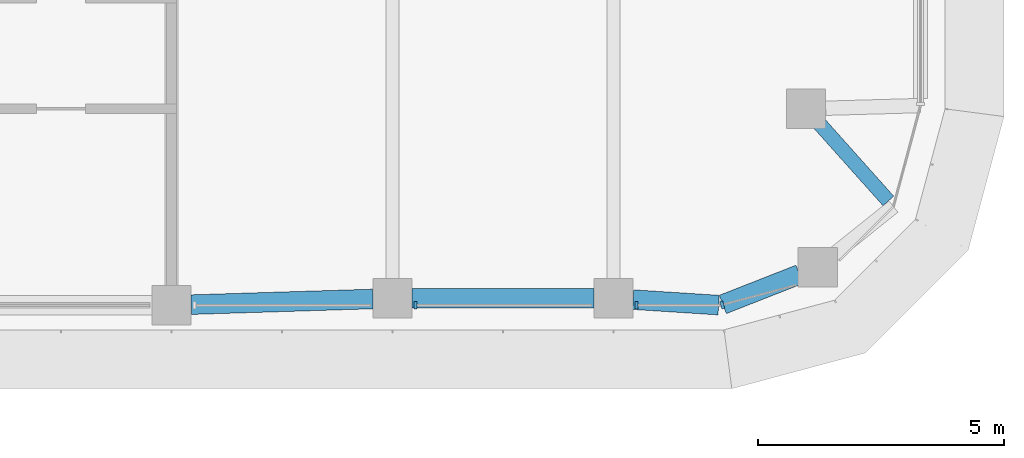
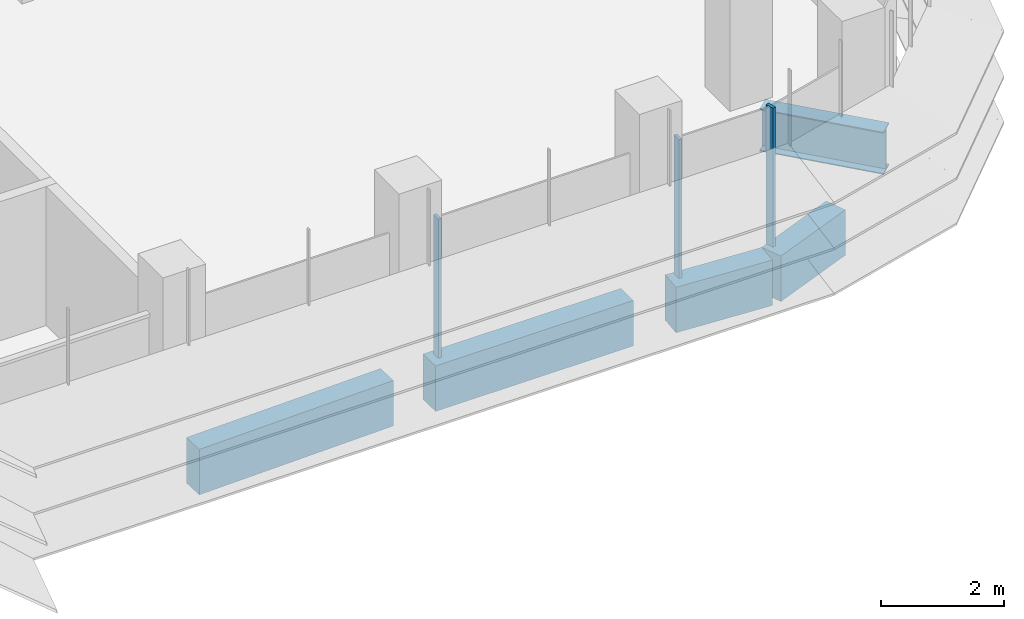
# One storey, part 5 of 19: 5 beams, 3 members, 2 elements without a shape of their own.
"""IFC4 building model written with IfcOpenShell, lengths in metres."""

from ifc_helpers import new_model, si_unit, direction, frame, origin, origin_2d, place, context, subcontext, project, spatial, polyline, rectangle, i_section, outline, extrude, source, transform, mapped, material, material_profile, profile_set, type_object, element, aggregate, save


model = new_model("IFC4")

# Units and contexts
model_context = context("Model", 3, precision=1e-05, world=origin(), true_north=direction((0.0, 1.0)))
body_context = subcontext(model_context, "Body", "Model", "MODEL_VIEW")
ifc_project = project(units=[si_unit("LENGTHUNIT", "METRE"), si_unit("AREAUNIT", "SQUARE_METRE"), si_unit("VOLUMEUNIT", "CUBIC_METRE"), si_unit("PLANEANGLEUNIT", "RADIAN"), si_unit("MASSUNIT", "GRAM", prefix="KILO")], contexts=[model_context])

# Site, building, storey
site_placement = place(None, origin())
site = spatial("IfcSite", under=ifc_project, at=site_placement, CompositionType="ELEMENT")
building_placement = place(site_placement, origin())
building = spatial("IfcBuilding", under=site, at=building_placement, Name="Zarbagh Exchange Tower", CompositionType="ELEMENT")
storey_placement = place(building_placement, frame((0.0, 0.0, 167.60009765625)))
storey = spatial("IfcBuildingStorey", under=building, at=storey_placement, Name="L40", CompositionType="ELEMENT", Elevation=167.60009765625)

# Beams
ifc_material_1 = material(Name="Steel ASTM A992 Gr 50", Category="steel")
ifc_material_profile_1 = material_profile(ifc_material_1, i_section(OverallWidth=0.2919921875, OverallDepth=0.835693359375, WebThickness=0.013916015625, FlangeThickness=0.018798828125, at=origin_2d()), Name="W33X118")
ifc_profile_set_1 = profile_set([ifc_material_profile_1], Name="Steel ASTM A992 Gr 50")
beam_type_1 = type_object("IfcBeamType", Name="Floor girder W33X118", PredefinedType="BEAM", material=ifc_profile_set_1)
beam_1_placement = place(storey_placement, frame((28.9365234375, -2.54833984375, -0.56787109375), z_axis=(0.666238158503, -0.745739040251, 0.0), x_axis=(0.745739040251, 0.666238158503, 0.0)))
element("IfcBeam", 1, at=beam_1_placement, inside=storey, type_object=beam_type_1, Name="Steel girder", PredefinedType="BEAM", context=body_context, shape_type="SweptSolid", body=[
    extrude(i_section(OverallWidth=0.2919921875, OverallDepth=0.835693359375, WebThickness=0.013916015625, FlangeThickness=0.018798828125, at=origin_2d()), origin(), (0.0, 0.0, 1.0), 2.115966796875),
])
ifc_material_2 = material(Name="Concrete C50/60", Category="concrete")
ifc_material_profile_2 = material_profile(ifc_material_2, rectangle(XDim=0.39990234375, YDim=0.89990234375, at=origin_2d()), Name="RC spandrel beam 400 x 900 C50/60")
ifc_profile_set_2 = profile_set([ifc_material_profile_2], Name="Concrete C50/60")
beam_type_2 = type_object("IfcBeamType", Name="RC spandrel beam 400 x 900 C50/60", PredefinedType="SPANDREL", material=ifc_profile_set_2)
beam_2_placement = place(storey_placement, frame((28.53564453125, -5.62109375, -0.60009765625), z_axis=(-0.930818758612, -0.36548110569, 0.0), x_axis=(0.36548110569, -0.930818758612, 0.0)))
element("IfcBeam", 2, at=beam_2_placement, inside=storey, type_object=beam_type_2, Name="RC spandrel beam", PredefinedType="SPANDREL", context=body_context, shape_type="SweptSolid", body=[
    extrude(rectangle(XDim=0.39990234375, YDim=0.89990234375, at=origin_2d()), origin(), (0.0, 0.0, 1.0), 1.676025390625),
])
beam_3_placement = place(storey_placement, frame((26.8896484375, -6.247314453125, -0.60009765625), z_axis=(-0.997942679773, 0.064112462805, 0.0), x_axis=(-0.064112462805, -0.997942679773, 0.0)))
element("IfcBeam", 3, at=beam_3_placement, inside=storey, type_object=beam_type_2, Name="RC spandrel beam", PredefinedType="SPANDREL", context=body_context, shape_type="SweptSolid", body=[
    extrude(rectangle(XDim=0.39990234375, YDim=0.89990234375, at=origin_2d()), origin(), (0.0, 0.0, 1.0), 1.744140625),
])
beam_4_placement = place(storey_placement, frame((24.35009765625, -6.110107421875, -0.60009765625), z_axis=(-1.0, 0.0, 0.0), x_axis=(0.0, -1.0, 0.0)))
element("IfcBeam", 4, at=beam_4_placement, inside=storey, type_object=beam_type_2, Name="RC spandrel beam", PredefinedType="SPANDREL", context=body_context, shape_type="SweptSolid", body=[
    extrude(rectangle(XDim=0.39990234375, YDim=0.89990234375, at=origin_2d()), origin(), (0.0, 0.0, 1.0), 3.7001953125),
])
beam_5_placement = place(storey_placement, frame((19.85009765625, -6.122314453125, -0.60009765625), z_axis=(-0.999515416033, -0.031127690444, 0.0), x_axis=(0.031127690444, -0.999515416033, 0.0)))
element("IfcBeam", 5, at=beam_5_placement, inside=storey, type_object=beam_type_2, Name="RC spandrel beam", PredefinedType="SPANDREL", context=body_context, shape_type="SweptSolid", body=[
    extrude(rectangle(XDim=0.39990234375, YDim=0.89990234375, at=origin_2d()), origin(), (0.0, 0.0, 1.0), 3.701904296875),
])

# Curtain wall, members
ifc_material_3 = material(Name="Anodised aluminium frame and glazing", Category="aluminium")
curtain_wall_type = type_object("IfcCurtainWallType", Name="CWB Ribbon glazing, upper zones", PredefinedType="NOTDEFINED", material=ifc_material_3)
curtain_wall_1_placement = place(storey_placement, origin())
curtain_wall_1 = element("IfcCurtainWall", 6, at=curtain_wall_1_placement, inside=storey, type_object=curtain_wall_type, Name="CWB08 curtain wall", PredefinedType="NOTDEFINED")
ifc_material_4 = material(Name="Anodised aluminium frame", Category="aluminium")
member_type = type_object("IfcMemberType", Name="MUB Mullion, anodised aluminium frame", PredefinedType="MULLION", material=ifc_material_4)
shared_shape = source(origin(), body_context, "Body", "SweptSolid", [
    extrude(outline(polyline([(0.0, -0.080078125), (0.06005859375, -0.080078125), (0.06005859375, 0.080078125), (0.0, 0.080078125), (0.0, -0.080078125)])), origin(), (0.0, 0.0, 1.0), 2.75),
])
placement = place(storey_placement, origin())
member_1 = element("IfcMember", 7, at=placement, type_object=member_type, Name="CWB08 mullion 3.1", PredefinedType="MULLION", context=body_context, shape_type="MappedRepresentation", body=[
    mapped(shared_shape, transform((20.68994140625, -6.25, 0.0), x_axis=(1.0, 0.0, 0.0), y_axis=(0.0, 1.0, 0.0), z_axis=(0.0, 0.0, 1.0))),
])
member_2 = element("IfcMember", 8, at=placement, type_object=member_type, Name="CWB08 mullion 4.1", PredefinedType="MULLION", context=body_context, shape_type="MappedRepresentation", body=[
    mapped(shared_shape, transform((25.18994140625, -6.25, 0.0), x_axis=(1.0, 0.0, 0.0), y_axis=(0.0, 1.0, 0.0), z_axis=(0.0, 0.0, 1.0))),
])
aggregate(curtain_wall_1, [member_1, member_2])

# Curtain wall, member
curtain_wall_2_placement = place(storey_placement, origin())
curtain_wall_2 = element("IfcCurtainWall", 9, at=curtain_wall_2_placement, inside=storey, type_object=curtain_wall_type, Name="CWB09 curtain wall", PredefinedType="NOTDEFINED")
member_3 = element("IfcMember", 10, at=placement, type_object=member_type, Name="CWB09 mullion 1.1", PredefinedType="MULLION", context=body_context, shape_type="MappedRepresentation", body=[
    mapped(shared_shape, transform((26.93408203125, -6.25, 0.0), x_axis=(0.965924289636, 0.258824779902, 0.0), y_axis=(-0.258824779902, 0.965924289636, 0.0), z_axis=(0.0, 0.0, 1.0))),
])
aggregate(curtain_wall_2, [member_3])

save(model, "model.ifc")
